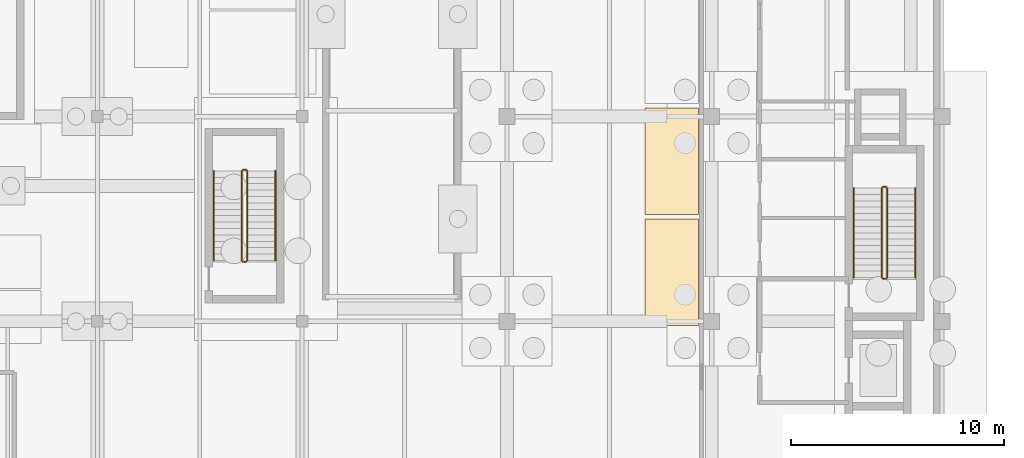
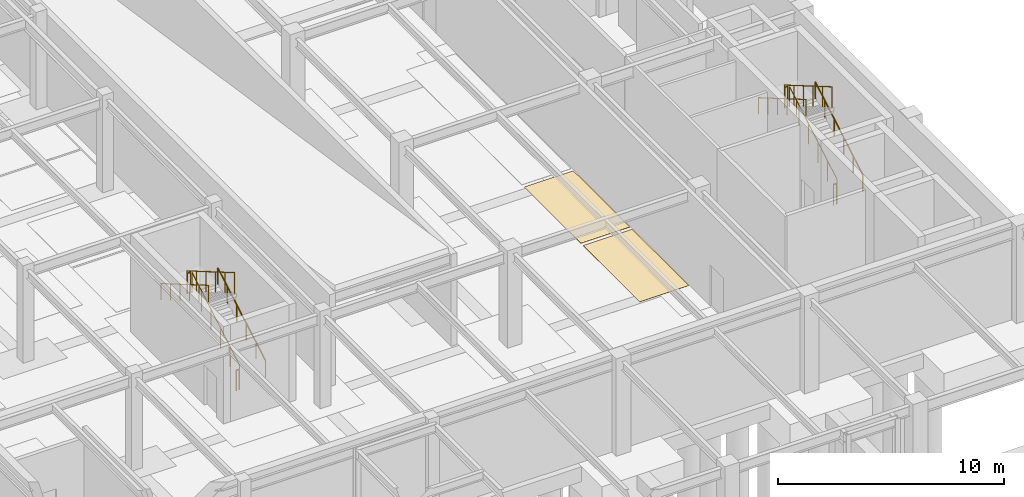
# One storey, part 51 of 55: 12 railings, 2 coverings.
"""IFC4 building model written with IfcOpenShell, lengths in metres."""

from ifc_helpers import new_model, si_unit, direction, frame, origin, origin_2d, place, context, subcontext, project, spatial, rectangle, circle, extrude, material, layer, layer_set, type_object, element, save


model = new_model("IFC4")

# Units and contexts
model_context = context("Model", 3, precision=1e-05, world=origin(), true_north=direction((0.0, 1.0)))
body_context = subcontext(model_context, "Body", "Model", "MODEL_VIEW")
ifc_project = project(units=[si_unit("LENGTHUNIT", "METRE"), si_unit("AREAUNIT", "SQUARE_METRE"), si_unit("VOLUMEUNIT", "CUBIC_METRE"), si_unit("PLANEANGLEUNIT", "RADIAN"), si_unit("MASSUNIT", "GRAM", prefix="KILO")], contexts=[model_context])

# Site, building, storey
site_placement = place(None, origin())
site = spatial("IfcSite", under=ifc_project, at=site_placement, CompositionType="ELEMENT")
building_placement = place(site_placement, origin())
building = spatial("IfcBuilding", under=site, at=building_placement, Name="Almandine Court Research Institute", CompositionType="ELEMENT")
storey_placement = place(building_placement, frame((0.0, 0.0, -5.25)))
storey = spatial("IfcBuildingStorey", under=building, at=storey_placement, Name="B1", CompositionType="ELEMENT", Elevation=-5.25)

# Coverings
ifc_material_1 = material(Name="Resin Traffic-Coated Car Park Stall Marking")
ifc_layer = layer(ifc_material_1, 0.010009765625)
ifc_layer_set = layer_set([ifc_layer], Name="Resin Traffic-Coated Car Park Stall Marking")
covering_type = type_object("IfcCoveringType", Name="Cov-PARK-STD", PredefinedType="FLOORING", material=ifc_layer_set)
for number, where, z_axis, x_axis, name in (
    (1, (161.320068359375, 27.5, 0.0009765625), (0.0, 0.0, 1.0), (0.0, 1.0, 0.0), "Parking Bay 22"),
    (2, (161.320068359375, 32.699951171875, 0.0009765625), (0.0, 0.0, 1.0), (0.0, 1.0, 0.0), "Parking Bay 23"),
):
    element("IfcCovering", number, at=place(storey_placement, frame(where, z_axis=z_axis, x_axis=x_axis)), inside=storey, type_object=covering_type, Name=name, PredefinedType="FLOORING", context=body_context, shape_type="SweptSolid", body=[
        extrude(rectangle(XDim=5.0, YDim=2.5, at=origin_2d()), origin(), (0.0, 0.0, 1.0), 0.010009765625),
    ])

# Railings
ifc_material_2 = material(Name="Powder-Coated Steel Stair and Atrium Balustrade", Category="steel")
railing_type_1 = type_object("IfcRailingType", Name="Rail-GUARD-INT", PredefinedType="BALUSTRADE", material=ifc_material_2)
railing_1_placement = place(storey_placement, frame((171.429931640625, 27.25, 0.175048828125)))
element("IfcRailing", 3, at=railing_1_placement, inside=storey, type_object=railing_type_1, Name="B1 ST-07 stair guard 1", PredefinedType="BALUSTRADE", context=body_context, shape_type="SweptSolid", body=[
    extrude(circle(Radius=0.02392578125, at=origin_2d()), frame((0.0, 0.0, 1.09619140625), z_axis=(0.0, 0.863780722019, 0.50386790359), x_axis=(-1.0, 0.0, 0.0)), (0.0, 0.0, 1.0), 4.8623046875),
    extrude(circle(Radius=0.02099609375, at=origin_2d()), origin(), (0.0, 0.0, 1.0), 1.072021484375),
    extrude(circle(Radius=0.02099609375, at=origin_2d()), frame((0.0, 0.840087890625, 0.489990234375)), (0.0, 0.0, 1.0), 1.072021484375),
    extrude(circle(Radius=0.02099609375, at=origin_2d()), frame((0.0, 1.679931640625, 0.97998046875)), (0.0, 0.0, 1.0), 1.072021484375),
    extrude(circle(Radius=0.02099609375, at=origin_2d()), frame((0.0, 2.52001953125, 1.469970703125)), (0.0, 0.0, 1.0), 1.072021484375),
    extrude(circle(Radius=0.02099609375, at=origin_2d()), frame((0.0, 3.35986328125, 1.9599609375)), (0.0, 0.0, 1.0), 1.072021484375),
    extrude(circle(Radius=0.02099609375, at=origin_2d()), frame((0.0, 4.199951171875, 2.449951171875)), (0.0, 0.0, 1.0), 1.072021484375),
])
railing_2_placement = place(storey_placement, frame((171.3798828125, 31.5, 2.625)))
element("IfcRailing", 4, at=railing_2_placement, inside=storey, type_object=railing_type_1, Name="B1 ST-07 stair guard 2", PredefinedType="BALUSTRADE", context=body_context, shape_type="SweptSolid", body=[
    extrude(circle(Radius=0.02392578125, at=origin_2d()), frame((0.0, 0.0, 1.09619140625), z_axis=(-1.0, 0.0, 0.0), x_axis=(0.0, -1.0, 0.0)), (0.0, 0.0, 1.0), 0.159912109375),
    extrude(circle(Radius=0.02099609375, at=origin_2d()), origin(), (0.0, 0.0, 1.0), 1.072021484375),
    extrude(circle(Radius=0.02099609375, at=origin_2d()), frame((-0.159912109375, 0.0, 0.0)), (0.0, 0.0, 1.0), 1.072021484375),
])
railing_3_placement = place(storey_placement, frame((171.169921875, 31.449951171875, 2.800048828125)))
element("IfcRailing", 5, at=railing_3_placement, inside=storey, type_object=railing_type_1, Name="B1 ST-07 stair guard 3", PredefinedType="BALUSTRADE", context=body_context, shape_type="SweptSolid", body=[
    extrude(circle(Radius=0.02392578125, at=origin_2d()), frame((0.0, 0.0, 1.09619140625), z_axis=(0.0, -0.863780722019, 0.50386790359), x_axis=(1.0, 0.0, 0.0)), (0.0, 0.0, 1.0), 4.8623046875),
    extrude(circle(Radius=0.02099609375, at=origin_2d()), origin(), (0.0, 0.0, 1.0), 1.072021484375),
    extrude(circle(Radius=0.02099609375, at=origin_2d()), frame((0.0, -0.840087890625, 0.489990234375)), (0.0, 0.0, 1.0), 1.072021484375),
    extrude(circle(Radius=0.02099609375, at=origin_2d()), frame((0.0, -1.679931640625, 0.97998046875)), (0.0, 0.0, 1.0), 1.072021484375),
    extrude(circle(Radius=0.02099609375, at=origin_2d()), frame((0.0, -2.52001953125, 1.469970703125)), (0.0, 0.0, 1.0), 1.072021484375),
    extrude(circle(Radius=0.02099609375, at=origin_2d()), frame((0.0, -3.35986328125, 1.9599609375)), (0.0, 0.0, 1.0), 1.072021484375),
    extrude(circle(Radius=0.02099609375, at=origin_2d()), frame((0.0, -4.199951171875, 2.449951171875)), (0.0, 0.0, 1.0), 1.072021484375),
])
railing_4_placement = place(storey_placement, frame((171.3798828125, 27.199951171875, 0.0)))
element("IfcRailing", 6, at=railing_4_placement, inside=storey, type_object=railing_type_1, Name="B1 ST-07 stair guard 4", PredefinedType="BALUSTRADE", context=body_context, shape_type="SweptSolid", body=[
    extrude(circle(Radius=0.02392578125, at=origin_2d()), frame((0.0, 0.0, 1.09619140625), z_axis=(-1.0, 0.0, 0.0), x_axis=(0.0, -1.0, 0.0)), (0.0, 0.0, 1.0), 0.159912109375),
    extrude(circle(Radius=0.02099609375, at=origin_2d()), origin(), (0.0, 0.0, 1.0), 1.072021484375),
    extrude(circle(Radius=0.02099609375, at=origin_2d()), frame((-0.159912109375, 0.0, 0.0)), (0.0, 0.0, 1.0), 1.072021484375),
])
railing_5_placement = place(storey_placement, frame((141.429931640625, 28.050048828125, 0.175048828125)))
element("IfcRailing", 7, at=railing_5_placement, inside=storey, type_object=railing_type_1, Name="B1 ST-11 stair guard 1", PredefinedType="BALUSTRADE", context=body_context, shape_type="SweptSolid", body=[
    extrude(circle(Radius=0.02392578125, at=origin_2d()), frame((0.0, 0.0, 1.09619140625), z_axis=(0.0, 0.863780722019, 0.50386790359), x_axis=(-1.0, 0.0, 0.0)), (0.0, 0.0, 1.0), 4.8623046875),
    extrude(circle(Radius=0.02099609375, at=origin_2d()), origin(), (0.0, 0.0, 1.0), 1.072021484375),
    extrude(circle(Radius=0.02099609375, at=origin_2d()), frame((0.0, 0.840087890625, 0.489990234375)), (0.0, 0.0, 1.0), 1.072021484375),
    extrude(circle(Radius=0.02099609375, at=origin_2d()), frame((0.0, 1.679931640625, 0.97998046875)), (0.0, 0.0, 1.0), 1.072021484375),
    extrude(circle(Radius=0.02099609375, at=origin_2d()), frame((0.0, 2.52001953125, 1.469970703125)), (0.0, 0.0, 1.0), 1.072021484375),
    extrude(circle(Radius=0.02099609375, at=origin_2d()), frame((0.0, 3.35986328125, 1.9599609375)), (0.0, 0.0, 1.0), 1.072021484375),
    extrude(circle(Radius=0.02099609375, at=origin_2d()), frame((0.0, 4.199951171875, 2.449951171875)), (0.0, 0.0, 1.0), 1.072021484375),
])
railing_6_placement = place(storey_placement, frame((141.3798828125, 32.300048828125, 2.625)))
element("IfcRailing", 8, at=railing_6_placement, inside=storey, type_object=railing_type_1, Name="B1 ST-11 stair guard 2", PredefinedType="BALUSTRADE", context=body_context, shape_type="SweptSolid", body=[
    extrude(circle(Radius=0.02392578125, at=origin_2d()), frame((0.0, 0.0, 1.09619140625), z_axis=(-1.0, 0.0, 0.0), x_axis=(0.0, -1.0, 0.0)), (0.0, 0.0, 1.0), 0.159912109375),
    extrude(circle(Radius=0.02099609375, at=origin_2d()), origin(), (0.0, 0.0, 1.0), 1.072021484375),
    extrude(circle(Radius=0.02099609375, at=origin_2d()), frame((-0.159912109375, 0.0, 0.0)), (0.0, 0.0, 1.0), 1.072021484375),
])
railing_7_placement = place(storey_placement, frame((141.169921875, 32.25, 2.800048828125)))
element("IfcRailing", 9, at=railing_7_placement, inside=storey, type_object=railing_type_1, Name="B1 ST-11 stair guard 3", PredefinedType="BALUSTRADE", context=body_context, shape_type="SweptSolid", body=[
    extrude(circle(Radius=0.02392578125, at=origin_2d()), frame((0.0, 0.0, 1.09619140625), z_axis=(0.0, -0.863780722019, 0.50386790359), x_axis=(1.0, 0.0, 0.0)), (0.0, 0.0, 1.0), 4.8623046875),
    extrude(circle(Radius=0.02099609375, at=origin_2d()), origin(), (0.0, 0.0, 1.0), 1.072021484375),
    extrude(circle(Radius=0.02099609375, at=origin_2d()), frame((0.0, -0.840087890625, 0.489990234375)), (0.0, 0.0, 1.0), 1.072021484375),
    extrude(circle(Radius=0.02099609375, at=origin_2d()), frame((0.0, -1.679931640625, 0.97998046875)), (0.0, 0.0, 1.0), 1.072021484375),
    extrude(circle(Radius=0.02099609375, at=origin_2d()), frame((0.0, -2.52001953125, 1.469970703125)), (0.0, 0.0, 1.0), 1.072021484375),
    extrude(circle(Radius=0.02099609375, at=origin_2d()), frame((0.0, -3.35986328125, 1.9599609375)), (0.0, 0.0, 1.0), 1.072021484375),
    extrude(circle(Radius=0.02099609375, at=origin_2d()), frame((0.0, -4.199951171875, 2.449951171875)), (0.0, 0.0, 1.0), 1.072021484375),
])
railing_8_placement = place(storey_placement, frame((141.3798828125, 28.0, 0.0)))
element("IfcRailing", 10, at=railing_8_placement, inside=storey, type_object=railing_type_1, Name="B1 ST-11 stair guard 4", PredefinedType="BALUSTRADE", context=body_context, shape_type="SweptSolid", body=[
    extrude(circle(Radius=0.02392578125, at=origin_2d()), frame((0.0, 0.0, 1.09619140625), z_axis=(-1.0, 0.0, 0.0), x_axis=(0.0, -1.0, 0.0)), (0.0, 0.0, 1.0), 0.159912109375),
    extrude(circle(Radius=0.02099609375, at=origin_2d()), origin(), (0.0, 0.0, 1.0), 1.072021484375),
    extrude(circle(Radius=0.02099609375, at=origin_2d()), frame((-0.159912109375, 0.0, 0.0)), (0.0, 0.0, 1.0), 1.072021484375),
])
ifc_material_3 = material(Name="Brushed Stainless Steel Wall Handrail", Category="steel")
railing_type_2 = type_object("IfcRailingType", Name="Rail-HAND-INT", PredefinedType="HANDRAIL", material=ifc_material_3)
railing_9_placement = place(storey_placement, frame((172.75, 27.25, 0.175048828125)))
element("IfcRailing", 11, at=railing_9_placement, inside=storey, type_object=railing_type_2, Name="B1 ST-07 stair handrail 1", PredefinedType="HANDRAIL", context=body_context, shape_type="SweptSolid", body=[
    extrude(circle(Radius=0.02392578125, at=origin_2d()), frame((0.0, 0.0, 0.8759765625), z_axis=(0.0, 0.863780722019, 0.50386790359), x_axis=(-1.0, 0.0, 0.0)), (0.0, 0.0, 1.0), 4.8623046875),
    extrude(circle(Radius=0.02099609375, at=origin_2d()), origin(), (0.0, 0.0, 1.0), 0.851806640625),
    extrude(circle(Radius=0.02099609375, at=origin_2d()), frame((0.0, 0.840087890625, 0.489990234375)), (0.0, 0.0, 1.0), 0.851806640625),
    extrude(circle(Radius=0.02099609375, at=origin_2d()), frame((0.0, 1.679931640625, 0.97998046875)), (0.0, 0.0, 1.0), 0.851806640625),
    extrude(circle(Radius=0.02099609375, at=origin_2d()), frame((0.0, 2.52001953125, 1.469970703125)), (0.0, 0.0, 1.0), 0.851806640625),
    extrude(circle(Radius=0.02099609375, at=origin_2d()), frame((0.0, 3.35986328125, 1.9599609375)), (0.0, 0.0, 1.0), 0.851806640625),
    extrude(circle(Radius=0.02099609375, at=origin_2d()), frame((0.0, 4.199951171875, 2.449951171875)), (0.0, 0.0, 1.0), 0.851806640625),
])
railing_10_placement = place(storey_placement, frame((169.85009765625, 31.449951171875, 2.800048828125)))
element("IfcRailing", 12, at=railing_10_placement, inside=storey, type_object=railing_type_2, Name="B1 ST-07 stair handrail 2", PredefinedType="HANDRAIL", context=body_context, shape_type="SweptSolid", body=[
    extrude(circle(Radius=0.02392578125, at=origin_2d()), frame((0.0, 0.0, 0.8759765625), z_axis=(0.0, -0.863780722019, 0.50386790359), x_axis=(1.0, 0.0, 0.0)), (0.0, 0.0, 1.0), 4.8623046875),
    extrude(circle(Radius=0.02099609375, at=origin_2d()), origin(), (0.0, 0.0, 1.0), 0.851806640625),
    extrude(circle(Radius=0.02099609375, at=origin_2d()), frame((0.0, -0.840087890625, 0.489990234375)), (0.0, 0.0, 1.0), 0.851806640625),
    extrude(circle(Radius=0.02099609375, at=origin_2d()), frame((0.0, -1.679931640625, 0.97998046875)), (0.0, 0.0, 1.0), 0.851806640625),
    extrude(circle(Radius=0.02099609375, at=origin_2d()), frame((0.0, -2.52001953125, 1.469970703125)), (0.0, 0.0, 1.0), 0.851806640625),
    extrude(circle(Radius=0.02099609375, at=origin_2d()), frame((0.0, -3.35986328125, 1.9599609375)), (0.0, 0.0, 1.0), 0.851806640625),
    extrude(circle(Radius=0.02099609375, at=origin_2d()), frame((0.0, -4.199951171875, 2.449951171875)), (0.0, 0.0, 1.0), 0.851806640625),
])
railing_11_placement = place(storey_placement, frame((142.75, 28.050048828125, 0.175048828125)))
element("IfcRailing", 13, at=railing_11_placement, inside=storey, type_object=railing_type_2, Name="B1 ST-11 stair handrail 1", PredefinedType="HANDRAIL", context=body_context, shape_type="SweptSolid", body=[
    extrude(circle(Radius=0.02392578125, at=origin_2d()), frame((0.0, 0.0, 0.8759765625), z_axis=(0.0, 0.863780722019, 0.50386790359), x_axis=(-1.0, 0.0, 0.0)), (0.0, 0.0, 1.0), 4.8623046875),
    extrude(circle(Radius=0.02099609375, at=origin_2d()), origin(), (0.0, 0.0, 1.0), 0.851806640625),
    extrude(circle(Radius=0.02099609375, at=origin_2d()), frame((0.0, 0.840087890625, 0.489990234375)), (0.0, 0.0, 1.0), 0.851806640625),
    extrude(circle(Radius=0.02099609375, at=origin_2d()), frame((0.0, 1.679931640625, 0.97998046875)), (0.0, 0.0, 1.0), 0.851806640625),
    extrude(circle(Radius=0.02099609375, at=origin_2d()), frame((0.0, 2.52001953125, 1.469970703125)), (0.0, 0.0, 1.0), 0.851806640625),
    extrude(circle(Radius=0.02099609375, at=origin_2d()), frame((0.0, 3.35986328125, 1.9599609375)), (0.0, 0.0, 1.0), 0.851806640625),
    extrude(circle(Radius=0.02099609375, at=origin_2d()), frame((0.0, 4.199951171875, 2.449951171875)), (0.0, 0.0, 1.0), 0.851806640625),
])
railing_12_placement = place(storey_placement, frame((139.85009765625, 32.25, 2.800048828125)))
element("IfcRailing", 14, at=railing_12_placement, inside=storey, type_object=railing_type_2, Name="B1 ST-11 stair handrail 2", PredefinedType="HANDRAIL", context=body_context, shape_type="SweptSolid", body=[
    extrude(circle(Radius=0.02392578125, at=origin_2d()), frame((0.0, 0.0, 0.8759765625), z_axis=(0.0, -0.863780722019, 0.50386790359), x_axis=(1.0, 0.0, 0.0)), (0.0, 0.0, 1.0), 4.8623046875),
    extrude(circle(Radius=0.02099609375, at=origin_2d()), origin(), (0.0, 0.0, 1.0), 0.851806640625),
    extrude(circle(Radius=0.02099609375, at=origin_2d()), frame((0.0, -0.840087890625, 0.489990234375)), (0.0, 0.0, 1.0), 0.851806640625),
    extrude(circle(Radius=0.02099609375, at=origin_2d()), frame((0.0, -1.679931640625, 0.97998046875)), (0.0, 0.0, 1.0), 0.851806640625),
    extrude(circle(Radius=0.02099609375, at=origin_2d()), frame((0.0, -2.52001953125, 1.469970703125)), (0.0, 0.0, 1.0), 0.851806640625),
    extrude(circle(Radius=0.02099609375, at=origin_2d()), frame((0.0, -3.35986328125, 1.9599609375)), (0.0, 0.0, 1.0), 0.851806640625),
    extrude(circle(Radius=0.02099609375, at=origin_2d()), frame((0.0, -4.199951171875, 2.449951171875)), (0.0, 0.0, 1.0), 0.851806640625),
])

save(model, "model.ifc")
